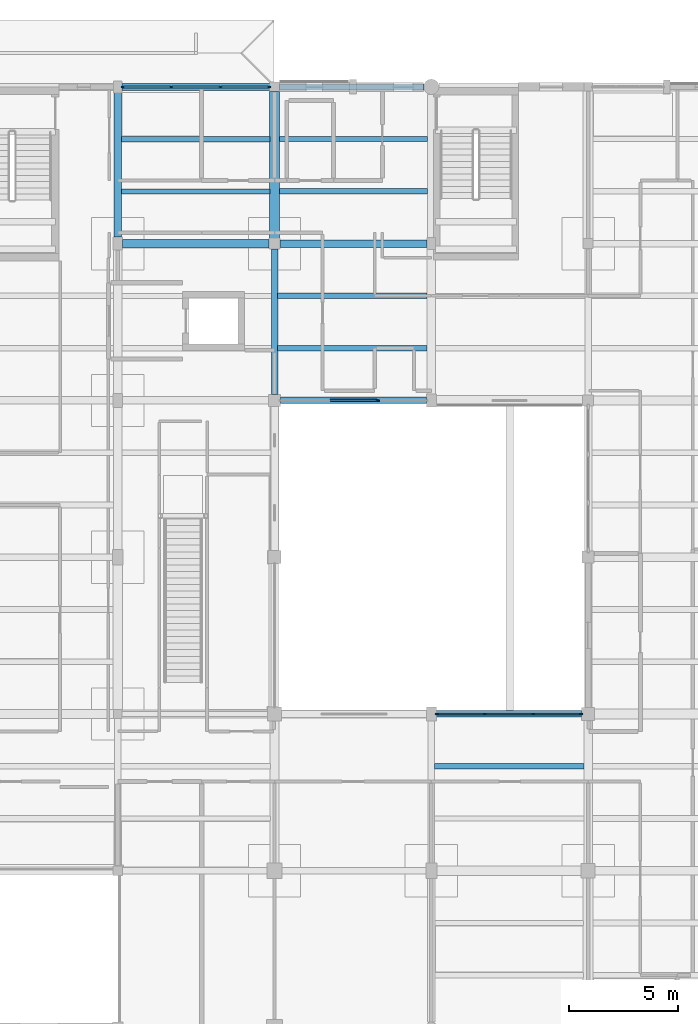
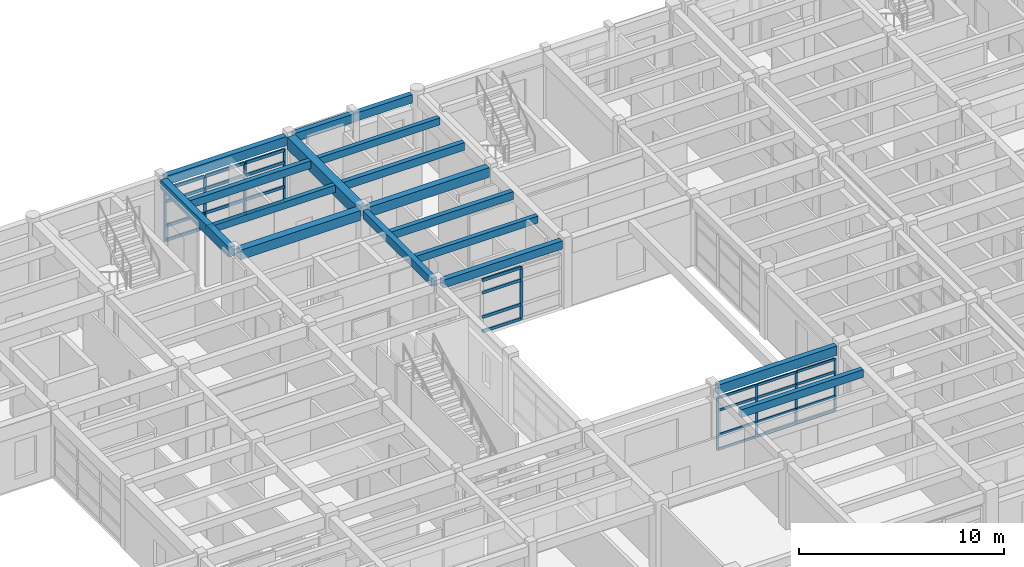
# One storey, part 38 of 110: 37 members, 16 beams, 3 elements without a shape of their own.
"""IFC4 building model written with IfcOpenShell, lengths in metres."""

from ifc_helpers import new_model, si_unit, direction, frame, origin, origin_2d, place, context, subcontext, project, spatial, rectangle, extrude, material, material_profile, profile_set, type_object, element, aggregate, save


model = new_model("IFC4")

# Units and contexts
model_context = context("Model", 3, precision=1e-05, world=origin(), true_north=direction((0.0, 1.0)))
body_context = subcontext(model_context, "Body", "Model", "MODEL_VIEW")
ifc_project = project(units=[si_unit("LENGTHUNIT", "METRE"), si_unit("AREAUNIT", "SQUARE_METRE"), si_unit("VOLUMEUNIT", "CUBIC_METRE"), si_unit("PLANEANGLEUNIT", "RADIAN"), si_unit("MASSUNIT", "GRAM", prefix="KILO")], contexts=[model_context])

# Site, building, storey
site_placement = place(None, origin())
site = spatial("IfcSite", under=ifc_project, at=site_placement, CompositionType="ELEMENT")
building_placement = place(site_placement, origin())
building = spatial("IfcBuilding", under=site, at=building_placement, Name="Steenspoor Specialist Clinic", CompositionType="ELEMENT")
storey_placement = place(building_placement, frame((0.0, 0.0, 4.800048828125)))
storey = spatial("IfcBuildingStorey", under=building, at=storey_placement, Name="L01", CompositionType="ELEMENT", Elevation=4.800048828125)

# Beams
ifc_material_1 = material(Name="Concrete C35/45", Category="concrete")
ifc_material_profile_1 = material_profile(ifc_material_1, rectangle(XDim=0.300048828125, YDim=0.47998046875, at=origin_2d()), Name="RC-BM-300X480")
ifc_profile_set_1 = profile_set([ifc_material_profile_1], Name="Concrete C35/45")
beam_type_1 = type_object("IfcBeamType", Name="BM-RC-300X480", PredefinedType="BEAM", material=ifc_profile_set_1)
beam_1_placement = place(storey_placement, frame((95.8701171875, 93.949951171875, 3.7099609375), z_axis=(1.0, 0.0, 0.0), x_axis=(0.0, 1.0, 0.0)))
element("IfcBeam", 1, at=beam_1_placement, inside=storey, type_object=beam_type_1, Name="BM-V4-L01-X0503", PredefinedType="BEAM", context=body_context, shape_type="SweptSolid", body=[
    extrude(rectangle(XDim=0.300048828125, YDim=0.47998046875, at=origin_2d()), origin(), (0.0, 0.0, 1.0), 6.7099609375),
])
beam_2_placement = place(storey_placement, frame((95.60009765625, 94.219970703125, 3.7099609375), z_axis=(0.0, 1.0, 0.0), x_axis=(-1.0, 0.0, 0.0)))
element("IfcBeam", 2, at=beam_2_placement, inside=storey, type_object=beam_type_1, Name="BM-V4-L01-Y0555", PredefinedType="BEAM", context=body_context, shape_type="SweptSolid", body=[
    extrude(rectangle(XDim=0.300048828125, YDim=0.47998046875, at=origin_2d()), origin(), (0.0, 0.0, 1.0), 6.68505859375),
])
ifc_material_profile_2 = material_profile(ifc_material_1, rectangle(XDim=0.300048828125, YDim=0.550048828125, at=origin_2d()), Name="RC-BM-300X550")
ifc_profile_set_2 = profile_set([ifc_material_profile_2], Name="Concrete C35/45")
beam_type_2 = type_object("IfcBeamType", Name="BM-RC-300X550", PredefinedType="BEAM", material=ifc_profile_set_2)
beam_3_placement = place(storey_placement, frame((103.02001953125, 79.550048828125, 3.675048828125), z_axis=(1.0, 0.0, 0.0), x_axis=(0.0, 1.0, 0.0)))
element("IfcBeam", 3, at=beam_3_placement, inside=storey, type_object=beam_type_2, Name="BM-V4-L01-X0491", PredefinedType="BEAM", context=body_context, shape_type="SweptSolid", body=[
    extrude(rectangle(XDim=0.300048828125, YDim=0.550048828125, at=origin_2d()), origin(), (0.0, 0.0, 1.0), 6.68505859375),
])
ifc_material_profile_3 = material_profile(ifc_material_1, rectangle(XDim=0.35009765625, YDim=0.580078125, at=origin_2d()), Name="RC-BM-350X580")
ifc_profile_set_3 = profile_set([ifc_material_profile_3], Name="Concrete C35/45")
beam_type_3 = type_object("IfcBeamType", Name="BM-RC-350X580", PredefinedType="BEAM", material=ifc_profile_set_3)
beam_4_placement = place(storey_placement, frame((95.844970703125, 101.14990234375, 3.659912109375), z_axis=(1.0, 0.0, 0.0), x_axis=(0.0, 1.0, 0.0)))
element("IfcBeam", 4, at=beam_4_placement, inside=storey, type_object=beam_type_3, Name="BM-V4-L01-X0510", PredefinedType="BEAM", context=body_context, shape_type="SweptSolid", body=[
    extrude(rectangle(XDim=0.35009765625, YDim=0.580078125, at=origin_2d()), origin(), (0.0, 0.0, 1.0), 6.760009765625),
])
beam_5_placement = place(storey_placement, frame((88.39990234375, 101.445068359375, 3.659912109375), z_axis=(0.0, 1.0, 0.0), x_axis=(-1.0, 0.0, 0.0)))
element("IfcBeam", 5, at=beam_5_placement, inside=storey, type_object=beam_type_3, Name="BM-V4-L01-Y0551", PredefinedType="BEAM", context=body_context, shape_type="SweptSolid", body=[
    extrude(rectangle(XDim=0.35009765625, YDim=0.580078125, at=origin_2d()), origin(), (0.0, 0.0, 1.0), 6.635009765625),
])
ifc_material_profile_4 = material_profile(ifc_material_1, rectangle(XDim=0.39990234375, YDim=0.580078125, at=origin_2d()), Name="RC-BM-400X580")
ifc_profile_set_4 = profile_set([ifc_material_profile_4], Name="Concrete C35/45")
beam_type_4 = type_object("IfcBeamType", Name="BM-RC-400X580", PredefinedType="BEAM", material=ifc_profile_set_4)
beam_6_placement = place(storey_placement, frame((88.6201171875, 101.14990234375, 3.659912109375), z_axis=(1.0, 0.0, 0.0), x_axis=(0.0, 1.0, 0.0)))
element("IfcBeam", 6, at=beam_6_placement, inside=storey, type_object=beam_type_4, Name="BM-V4-L01-X0509", PredefinedType="BEAM", context=body_context, shape_type="SweptSolid", body=[
    extrude(rectangle(XDim=0.39990234375, YDim=0.580078125, at=origin_2d()), origin(), (0.0, 0.0, 1.0), 6.73486328125),
])
ifc_material_profile_5 = material_profile(ifc_material_1, rectangle(XDim=0.449951171875, YDim=0.719970703125, at=origin_2d()), Name="RC-BM-450X720")
ifc_profile_set_5 = profile_set([ifc_material_profile_5], Name="Concrete C35/45")
beam_type_5 = type_object("IfcBeamType", Name="BM-RC-450X720", PredefinedType="BEAM", material=ifc_profile_set_5)
beam_7_placement = place(storey_placement, frame((95.60009765625, 101.39501953125, 3.58984375), z_axis=(0.0, 1.0, 0.0), x_axis=(-1.0, 0.0, 0.0)))
element("IfcBeam", 7, at=beam_7_placement, inside=storey, type_object=beam_type_5, Name="BM-V4-L01-Y0556", PredefinedType="BEAM", context=body_context, shape_type="SweptSolid", body=[
    extrude(rectangle(XDim=0.449951171875, YDim=0.719970703125, at=origin_2d()), origin(), (0.0, 0.0, 1.0), 6.73486328125),
])

# Curtain wall, members
ifc_material_2 = material(Name="Thermally broken aluminium and low-emissivity glass", Category="aluminium")
curtain_wall_type_1 = type_object("IfcCurtainWallType", Name="CW-WLK-520X340", PredefinedType="USERDEFINED", material=ifc_material_2)
curtain_wall_1_placement = place(storey_placement, origin())
curtain_wall_1 = element("IfcCurtainWall", 8, at=curtain_wall_1_placement, inside=storey, type_object=curtain_wall_type_1, Name="Unitised Curtain Wall CW-V4-L01-069", ObjectType="UNITISED GLAZING", PredefinedType="USERDEFINED")
ifc_material_3 = material(Name="Thermally broken aluminium 6063-T6", Category="aluminium")
ifc_material_profile_6 = material_profile(ifc_material_3, rectangle(XDim=0.06494140625, YDim=0.14990234375, at=origin_2d()), Name="CWM-65X150")
ifc_profile_set_6 = profile_set([ifc_material_profile_6], Name="Thermally broken aluminium 6063-T6")
member_type_1 = type_object("IfcMemberType", Name="CW-MULL-65X150", PredefinedType="MULLION", material=ifc_profile_set_6)
member_1_placement = place(storey_placement, frame((88.632568359375, 108.35009765625, 0.0), z_axis=(0.0, 0.0, 1.0), x_axis=(0.0, 1.0, 0.0)))
member_1 = element("IfcMember", 9, at=member_1_placement, type_object=member_type_1, Name="CW-21 mullion 1", PredefinedType="MULLION", context=body_context, shape_type="SweptSolid", body=[
    extrude(rectangle(XDim=0.06494140625, YDim=0.14990234375, at=origin_2d()), origin(), (0.0, 0.0, 1.0), 3.1298828125),
])
member_2_placement = place(storey_placement, frame((90.8583984375, 108.35009765625, 0.0), z_axis=(0.0, 0.0, 1.0), x_axis=(0.0, 1.0, 0.0)))
member_2 = element("IfcMember", 10, at=member_2_placement, type_object=member_type_1, Name="CW-21 mullion 2", PredefinedType="MULLION", context=body_context, shape_type="SweptSolid", body=[
    extrude(rectangle(XDim=0.06494140625, YDim=0.14990234375, at=origin_2d()), origin(), (0.0, 0.0, 1.0), 3.1298828125),
])
member_3_placement = place(storey_placement, frame((93.11669921875, 108.35009765625, 0.0), z_axis=(0.0, 0.0, 1.0), x_axis=(0.0, 1.0, 0.0)))
member_3 = element("IfcMember", 11, at=member_3_placement, type_object=member_type_1, Name="CW-21 mullion 3", PredefinedType="MULLION", context=body_context, shape_type="SweptSolid", body=[
    extrude(rectangle(XDim=0.06494140625, YDim=0.14990234375, at=origin_2d()), origin(), (0.0, 0.0, 1.0), 3.1298828125),
])
member_4_placement = place(storey_placement, frame((95.342529296875, 108.35009765625, 0.0), z_axis=(0.0, 0.0, 1.0), x_axis=(0.0, 1.0, 0.0)))
member_4 = element("IfcMember", 12, at=member_4_placement, type_object=member_type_1, Name="CW-21 mullion 4", PredefinedType="MULLION", context=body_context, shape_type="SweptSolid", body=[
    extrude(rectangle(XDim=0.06494140625, YDim=0.14990234375, at=origin_2d()), origin(), (0.0, 0.0, 1.0), 3.1298828125),
])

curtain_wall_type_2 = type_object("IfcCurtainWallType", Name="CW-TYP-660X355", PredefinedType="USERDEFINED", material=ifc_material_2)
curtain_wall_2_placement = place(storey_placement, origin())
curtain_wall_2 = element("IfcCurtainWall", 13, at=curtain_wall_2_placement, inside=storey, type_object=curtain_wall_type_2, Name="Unitised Curtain Wall CW-V4-L01-081", ObjectType="UNITISED GLAZING", PredefinedType="USERDEFINED")
member_5_placement = place(storey_placement, frame((103.0576171875, 79.550048828125, 0.0), z_axis=(0.0, 0.0, 1.0), x_axis=(0.0, 1.0, 0.0)))
member_5 = element("IfcMember", 14, at=member_5_placement, type_object=member_type_1, Name="CW-09 mullion 1", PredefinedType="MULLION", context=body_context, shape_type="SweptSolid", body=[
    extrude(rectangle(XDim=0.06494140625, YDim=0.14990234375, at=origin_2d()), origin(), (0.0, 0.0, 1.0), 3.1298828125),
])
member_6_placement = place(storey_placement, frame((105.25, 79.550048828125, 0.0), z_axis=(0.0, 0.0, 1.0), x_axis=(0.0, 1.0, 0.0)))
member_6 = element("IfcMember", 15, at=member_6_placement, type_object=member_type_1, Name="CW-09 mullion 2", PredefinedType="MULLION", context=body_context, shape_type="SweptSolid", body=[
    extrude(rectangle(XDim=0.06494140625, YDim=0.14990234375, at=origin_2d()), origin(), (0.0, 0.0, 1.0), 3.1298828125),
])
member_7_placement = place(storey_placement, frame((107.47509765625, 79.550048828125, 0.0), z_axis=(0.0, 0.0, 1.0), x_axis=(0.0, 1.0, 0.0)))
member_7 = element("IfcMember", 16, at=member_7_placement, type_object=member_type_1, Name="CW-09 mullion 3", PredefinedType="MULLION", context=body_context, shape_type="SweptSolid", body=[
    extrude(rectangle(XDim=0.06494140625, YDim=0.14990234375, at=origin_2d()), origin(), (0.0, 0.0, 1.0), 3.1298828125),
])
member_8_placement = place(storey_placement, frame((109.66748046875, 79.550048828125, 0.0), z_axis=(0.0, 0.0, 1.0), x_axis=(0.0, 1.0, 0.0)))
member_8 = element("IfcMember", 17, at=member_8_placement, type_object=member_type_1, Name="CW-09 mullion 4", PredefinedType="MULLION", context=body_context, shape_type="SweptSolid", body=[
    extrude(rectangle(XDim=0.06494140625, YDim=0.14990234375, at=origin_2d()), origin(), (0.0, 0.0, 1.0), 3.1298828125),
])

# Curtain wall, member
curtain_wall_type_3 = type_object("IfcCurtainWallType", Name="CW-L00-360X415", PredefinedType="USERDEFINED", material=ifc_material_2)
curtain_wall_3_placement = place(storey_placement, origin())
curtain_wall_3 = element("IfcCurtainWall", 18, at=curtain_wall_3_placement, inside=storey, type_object=curtain_wall_type_3, Name="Unitised Curtain Wall CW-V4-L01-079", ObjectType="UNITISED GLAZING", PredefinedType="USERDEFINED")
ifc_material_profile_7 = material_profile(ifc_material_3, rectangle(XDim=0.080078125, YDim=0.179931640625, at=origin_2d()), Name="CWM-80X180")
ifc_profile_set_7 = profile_set([ifc_material_profile_7], Name="Thermally broken aluminium 6063-T6")
member_type_2 = type_object("IfcMemberType", Name="CW-MULL-80X180", PredefinedType="MULLION", material=ifc_profile_set_7)
member_9_placement = place(storey_placement, frame((100.341552734375, 93.949951171875, 0.0), z_axis=(0.0, 0.0, 1.0), x_axis=(0.0, -1.0, 0.0)))
member_9 = element("IfcMember", 19, at=member_9_placement, type_object=member_type_2, Name="CW-07 mullion 2", PredefinedType="MULLION", context=body_context, shape_type="SweptSolid", body=[
    extrude(rectangle(XDim=0.080078125, YDim=0.179931640625, at=origin_2d()), origin(), (0.0, 0.0, 1.0), 3.1298828125),
])

# Member
ifc_material_profile_8 = material_profile(ifc_material_3, rectangle(XDim=0.070068359375, YDim=0.14501953125, at=origin_2d()), Name="CWT-70X145")
ifc_profile_set_8 = profile_set([ifc_material_profile_8], Name="Thermally broken aluminium 6063-T6")
member_type_3 = type_object("IfcMemberType", Name="CW-TRAN-70X145", PredefinedType="USERDEFINED", material=ifc_profile_set_8)
member_10_placement = place(storey_placement, frame((103.090087890625, 79.550048828125, 0.034912109375), z_axis=(1.0, 0.0, 0.0), x_axis=(0.0, 1.0, 0.0)))
member_10 = element("IfcMember", 20, at=member_10_placement, type_object=member_type_3, Name="CW-09 transom 1.1", ObjectType="TRANSOM", PredefinedType="USERDEFINED", context=body_context, shape_type="SweptSolid", body=[
    extrude(rectangle(XDim=0.070068359375, YDim=0.14501953125, at=origin_2d()), origin(), (0.0, 0.0, 1.0), 2.12744140625),
])

member_11_placement = place(storey_placement, frame((103.090087890625, 79.550048828125, 0.89990234375), z_axis=(1.0, 0.0, 0.0), x_axis=(0.0, 1.0, 0.0)))
member_11 = element("IfcMember", 21, at=member_11_placement, type_object=member_type_3, Name="CW-09 transom 1.2", ObjectType="TRANSOM", PredefinedType="USERDEFINED", context=body_context, shape_type="SweptSolid", body=[
    extrude(rectangle(XDim=0.070068359375, YDim=0.14501953125, at=origin_2d()), origin(), (0.0, 0.0, 1.0), 2.12744140625),
])

member_12_placement = place(storey_placement, frame((103.090087890625, 79.550048828125, 2.349853515625), z_axis=(1.0, 0.0, 0.0), x_axis=(0.0, 1.0, 0.0)))
member_12 = element("IfcMember", 22, at=member_12_placement, type_object=member_type_3, Name="CW-09 transom 1.3", ObjectType="TRANSOM", PredefinedType="USERDEFINED", context=body_context, shape_type="SweptSolid", body=[
    extrude(rectangle(XDim=0.070068359375, YDim=0.14501953125, at=origin_2d()), origin(), (0.0, 0.0, 1.0), 2.12744140625),
])

member_13_placement = place(storey_placement, frame((103.090087890625, 79.550048828125, 3.094970703125), z_axis=(1.0, 0.0, 0.0), x_axis=(0.0, 1.0, 0.0)))
member_13 = element("IfcMember", 23, at=member_13_placement, type_object=member_type_3, Name="CW-09 transom 1.4", ObjectType="TRANSOM", PredefinedType="USERDEFINED", context=body_context, shape_type="SweptSolid", body=[
    extrude(rectangle(XDim=0.070068359375, YDim=0.14501953125, at=origin_2d()), origin(), (0.0, 0.0, 1.0), 2.12744140625),
])

member_14_placement = place(storey_placement, frame((105.282470703125, 79.550048828125, 0.034912109375), z_axis=(1.0, 0.0, 0.0), x_axis=(0.0, 1.0, 0.0)))
member_14 = element("IfcMember", 24, at=member_14_placement, type_object=member_type_3, Name="CW-09 transom 2.1", ObjectType="TRANSOM", PredefinedType="USERDEFINED", context=body_context, shape_type="SweptSolid", body=[
    extrude(rectangle(XDim=0.070068359375, YDim=0.14501953125, at=origin_2d()), origin(), (0.0, 0.0, 1.0), 2.159912109375),
])

member_15_placement = place(storey_placement, frame((105.282470703125, 79.550048828125, 0.89990234375), z_axis=(1.0, 0.0, 0.0), x_axis=(0.0, 1.0, 0.0)))
member_15 = element("IfcMember", 25, at=member_15_placement, type_object=member_type_3, Name="CW-09 transom 2.2", ObjectType="TRANSOM", PredefinedType="USERDEFINED", context=body_context, shape_type="SweptSolid", body=[
    extrude(rectangle(XDim=0.070068359375, YDim=0.14501953125, at=origin_2d()), origin(), (0.0, 0.0, 1.0), 2.159912109375),
])

member_16_placement = place(storey_placement, frame((105.282470703125, 79.550048828125, 2.349853515625), z_axis=(1.0, 0.0, 0.0), x_axis=(0.0, 1.0, 0.0)))
member_16 = element("IfcMember", 26, at=member_16_placement, type_object=member_type_3, Name="CW-09 transom 2.3", ObjectType="TRANSOM", PredefinedType="USERDEFINED", context=body_context, shape_type="SweptSolid", body=[
    extrude(rectangle(XDim=0.070068359375, YDim=0.14501953125, at=origin_2d()), origin(), (0.0, 0.0, 1.0), 2.159912109375),
])

member_17_placement = place(storey_placement, frame((105.282470703125, 79.550048828125, 3.094970703125), z_axis=(1.0, 0.0, 0.0), x_axis=(0.0, 1.0, 0.0)))
member_17 = element("IfcMember", 27, at=member_17_placement, type_object=member_type_3, Name="CW-09 transom 2.4", ObjectType="TRANSOM", PredefinedType="USERDEFINED", context=body_context, shape_type="SweptSolid", body=[
    extrude(rectangle(XDim=0.070068359375, YDim=0.14501953125, at=origin_2d()), origin(), (0.0, 0.0, 1.0), 2.159912109375),
])

member_18_placement = place(storey_placement, frame((107.507568359375, 79.550048828125, 0.034912109375), z_axis=(1.0, 0.0, 0.0), x_axis=(0.0, 1.0, 0.0)))
member_18 = element("IfcMember", 28, at=member_18_placement, type_object=member_type_3, Name="CW-09 transom 3.1", ObjectType="TRANSOM", PredefinedType="USERDEFINED", context=body_context, shape_type="SweptSolid", body=[
    extrude(rectangle(XDim=0.070068359375, YDim=0.14501953125, at=origin_2d()), origin(), (0.0, 0.0, 1.0), 2.12744140625),
])

member_19_placement = place(storey_placement, frame((107.507568359375, 79.550048828125, 0.89990234375), z_axis=(1.0, 0.0, 0.0), x_axis=(0.0, 1.0, 0.0)))
member_19 = element("IfcMember", 29, at=member_19_placement, type_object=member_type_3, Name="CW-09 transom 3.2", ObjectType="TRANSOM", PredefinedType="USERDEFINED", context=body_context, shape_type="SweptSolid", body=[
    extrude(rectangle(XDim=0.070068359375, YDim=0.14501953125, at=origin_2d()), origin(), (0.0, 0.0, 1.0), 2.12744140625),
])

member_20_placement = place(storey_placement, frame((107.507568359375, 79.550048828125, 2.349853515625), z_axis=(1.0, 0.0, 0.0), x_axis=(0.0, 1.0, 0.0)))
member_20 = element("IfcMember", 30, at=member_20_placement, type_object=member_type_3, Name="CW-09 transom 3.3", ObjectType="TRANSOM", PredefinedType="USERDEFINED", context=body_context, shape_type="SweptSolid", body=[
    extrude(rectangle(XDim=0.070068359375, YDim=0.14501953125, at=origin_2d()), origin(), (0.0, 0.0, 1.0), 2.12744140625),
])

member_21_placement = place(storey_placement, frame((107.507568359375, 79.550048828125, 3.094970703125), z_axis=(1.0, 0.0, 0.0), x_axis=(0.0, 1.0, 0.0)))
member_21 = element("IfcMember", 31, at=member_21_placement, type_object=member_type_3, Name="CW-09 transom 3.4", ObjectType="TRANSOM", PredefinedType="USERDEFINED", context=body_context, shape_type="SweptSolid", body=[
    extrude(rectangle(XDim=0.070068359375, YDim=0.14501953125, at=origin_2d()), origin(), (0.0, 0.0, 1.0), 2.12744140625),
])

aggregate(curtain_wall_2, [member_5, member_6, member_7, member_8, member_10, member_11, member_12, member_13, member_14, member_15, member_16, member_17, member_18, member_19, member_20, member_21])

ifc_material_profile_9 = material_profile(ifc_material_3, rectangle(XDim=0.090087890625, YDim=0.175048828125, at=origin_2d()), Name="CWT-90X175")
ifc_profile_set_9 = profile_set([ifc_material_profile_9], Name="Thermally broken aluminium 6063-T6")
member_type_4 = type_object("IfcMemberType", Name="CW-TRAN-90X175", PredefinedType="USERDEFINED", material=ifc_profile_set_9)
member_22_placement = place(storey_placement, frame((88.6650390625, 108.35009765625, 0.044921875), z_axis=(1.0, 0.0, 0.0), x_axis=(0.0, 1.0, 0.0)))
member_22 = element("IfcMember", 32, at=member_22_placement, type_object=member_type_4, Name="CW-21 transom 1.1", ObjectType="TRANSOM", PredefinedType="USERDEFINED", context=body_context, shape_type="SweptSolid", body=[
    extrude(rectangle(XDim=0.090087890625, YDim=0.175048828125, at=origin_2d()), origin(), (0.0, 0.0, 1.0), 2.160888671875),
])

member_23_placement = place(storey_placement, frame((88.6650390625, 108.35009765625, 0.89990234375), z_axis=(1.0, 0.0, 0.0), x_axis=(0.0, 1.0, 0.0)))
member_23 = element("IfcMember", 33, at=member_23_placement, type_object=member_type_4, Name="CW-21 transom 1.2", ObjectType="TRANSOM", PredefinedType="USERDEFINED", context=body_context, shape_type="SweptSolid", body=[
    extrude(rectangle(XDim=0.090087890625, YDim=0.175048828125, at=origin_2d()), origin(), (0.0, 0.0, 1.0), 2.160888671875),
])

member_24_placement = place(storey_placement, frame((88.6650390625, 108.35009765625, 2.349853515625), z_axis=(1.0, 0.0, 0.0), x_axis=(0.0, 1.0, 0.0)))
member_24 = element("IfcMember", 34, at=member_24_placement, type_object=member_type_4, Name="CW-21 transom 1.3", ObjectType="TRANSOM", PredefinedType="USERDEFINED", context=body_context, shape_type="SweptSolid", body=[
    extrude(rectangle(XDim=0.090087890625, YDim=0.175048828125, at=origin_2d()), origin(), (0.0, 0.0, 1.0), 2.160888671875),
])

member_25_placement = place(storey_placement, frame((88.6650390625, 108.35009765625, 3.0849609375), z_axis=(1.0, 0.0, 0.0), x_axis=(0.0, 1.0, 0.0)))
member_25 = element("IfcMember", 35, at=member_25_placement, type_object=member_type_4, Name="CW-21 transom 1.4", ObjectType="TRANSOM", PredefinedType="USERDEFINED", context=body_context, shape_type="SweptSolid", body=[
    extrude(rectangle(XDim=0.090087890625, YDim=0.175048828125, at=origin_2d()), origin(), (0.0, 0.0, 1.0), 2.160888671875),
])

member_26_placement = place(storey_placement, frame((90.890869140625, 108.35009765625, 0.044921875), z_axis=(1.0, 0.0, 0.0), x_axis=(0.0, 1.0, 0.0)))
member_26 = element("IfcMember", 36, at=member_26_placement, type_object=member_type_4, Name="CW-21 transom 2.1", ObjectType="TRANSOM", PredefinedType="USERDEFINED", context=body_context, shape_type="SweptSolid", body=[
    extrude(rectangle(XDim=0.090087890625, YDim=0.175048828125, at=origin_2d()), origin(), (0.0, 0.0, 1.0), 2.193359375),
])

member_27_placement = place(storey_placement, frame((90.890869140625, 108.35009765625, 0.89990234375), z_axis=(1.0, 0.0, 0.0), x_axis=(0.0, 1.0, 0.0)))
member_27 = element("IfcMember", 37, at=member_27_placement, type_object=member_type_4, Name="CW-21 transom 2.2", ObjectType="TRANSOM", PredefinedType="USERDEFINED", context=body_context, shape_type="SweptSolid", body=[
    extrude(rectangle(XDim=0.090087890625, YDim=0.175048828125, at=origin_2d()), origin(), (0.0, 0.0, 1.0), 2.193359375),
])

member_28_placement = place(storey_placement, frame((90.890869140625, 108.35009765625, 2.349853515625), z_axis=(1.0, 0.0, 0.0), x_axis=(0.0, 1.0, 0.0)))
member_28 = element("IfcMember", 38, at=member_28_placement, type_object=member_type_4, Name="CW-21 transom 2.3", ObjectType="TRANSOM", PredefinedType="USERDEFINED", context=body_context, shape_type="SweptSolid", body=[
    extrude(rectangle(XDim=0.090087890625, YDim=0.175048828125, at=origin_2d()), origin(), (0.0, 0.0, 1.0), 2.193359375),
])

member_29_placement = place(storey_placement, frame((90.890869140625, 108.35009765625, 3.0849609375), z_axis=(1.0, 0.0, 0.0), x_axis=(0.0, 1.0, 0.0)))
member_29 = element("IfcMember", 39, at=member_29_placement, type_object=member_type_4, Name="CW-21 transom 2.4", ObjectType="TRANSOM", PredefinedType="USERDEFINED", context=body_context, shape_type="SweptSolid", body=[
    extrude(rectangle(XDim=0.090087890625, YDim=0.175048828125, at=origin_2d()), origin(), (0.0, 0.0, 1.0), 2.193359375),
])

member_30_placement = place(storey_placement, frame((93.149169921875, 108.35009765625, 0.044921875), z_axis=(1.0, 0.0, 0.0), x_axis=(0.0, 1.0, 0.0)))
member_30 = element("IfcMember", 40, at=member_30_placement, type_object=member_type_4, Name="CW-21 transom 3.1", ObjectType="TRANSOM", PredefinedType="USERDEFINED", context=body_context, shape_type="SweptSolid", body=[
    extrude(rectangle(XDim=0.090087890625, YDim=0.175048828125, at=origin_2d()), origin(), (0.0, 0.0, 1.0), 2.160888671875),
])

member_31_placement = place(storey_placement, frame((93.149169921875, 108.35009765625, 0.89990234375), z_axis=(1.0, 0.0, 0.0), x_axis=(0.0, 1.0, 0.0)))
member_31 = element("IfcMember", 41, at=member_31_placement, type_object=member_type_4, Name="CW-21 transom 3.2", ObjectType="TRANSOM", PredefinedType="USERDEFINED", context=body_context, shape_type="SweptSolid", body=[
    extrude(rectangle(XDim=0.090087890625, YDim=0.175048828125, at=origin_2d()), origin(), (0.0, 0.0, 1.0), 2.160888671875),
])

member_32_placement = place(storey_placement, frame((93.149169921875, 108.35009765625, 2.349853515625), z_axis=(1.0, 0.0, 0.0), x_axis=(0.0, 1.0, 0.0)))
member_32 = element("IfcMember", 42, at=member_32_placement, type_object=member_type_4, Name="CW-21 transom 3.3", ObjectType="TRANSOM", PredefinedType="USERDEFINED", context=body_context, shape_type="SweptSolid", body=[
    extrude(rectangle(XDim=0.090087890625, YDim=0.175048828125, at=origin_2d()), origin(), (0.0, 0.0, 1.0), 2.160888671875),
])

member_33_placement = place(storey_placement, frame((93.149169921875, 108.35009765625, 3.0849609375), z_axis=(1.0, 0.0, 0.0), x_axis=(0.0, 1.0, 0.0)))
member_33 = element("IfcMember", 43, at=member_33_placement, type_object=member_type_4, Name="CW-21 transom 3.4", ObjectType="TRANSOM", PredefinedType="USERDEFINED", context=body_context, shape_type="SweptSolid", body=[
    extrude(rectangle(XDim=0.090087890625, YDim=0.175048828125, at=origin_2d()), origin(), (0.0, 0.0, 1.0), 2.160888671875),
])

aggregate(curtain_wall_1, [member_1, member_2, member_3, member_4, member_22, member_23, member_24, member_25, member_26, member_27, member_28, member_29, member_30, member_31, member_32, member_33])

member_34_placement = place(storey_placement, frame((100.3017578125, 93.949951171875, 0.044921875), z_axis=(-1.0, 0.0, 0.0), x_axis=(0.0, -1.0, 0.0)))
member_34 = element("IfcMember", 44, at=member_34_placement, type_object=member_type_4, Name="CW-07 transom 2.1", ObjectType="TRANSOM", PredefinedType="USERDEFINED", context=body_context, shape_type="SweptSolid", body=[
    extrude(rectangle(XDim=0.090087890625, YDim=0.175048828125, at=origin_2d()), origin(), (0.0, 0.0, 1.0), 2.1533203125),
])

member_35_placement = place(storey_placement, frame((100.3017578125, 93.949951171875, 0.89990234375), z_axis=(-1.0, 0.0, 0.0), x_axis=(0.0, -1.0, 0.0)))
member_35 = element("IfcMember", 45, at=member_35_placement, type_object=member_type_4, Name="CW-07 transom 2.2", ObjectType="TRANSOM", PredefinedType="USERDEFINED", context=body_context, shape_type="SweptSolid", body=[
    extrude(rectangle(XDim=0.090087890625, YDim=0.175048828125, at=origin_2d()), origin(), (0.0, 0.0, 1.0), 2.1533203125),
])

member_36_placement = place(storey_placement, frame((100.3017578125, 93.949951171875, 2.349853515625), z_axis=(-1.0, 0.0, 0.0), x_axis=(0.0, -1.0, 0.0)))
member_36 = element("IfcMember", 46, at=member_36_placement, type_object=member_type_4, Name="CW-07 transom 2.3", ObjectType="TRANSOM", PredefinedType="USERDEFINED", context=body_context, shape_type="SweptSolid", body=[
    extrude(rectangle(XDim=0.090087890625, YDim=0.175048828125, at=origin_2d()), origin(), (0.0, 0.0, 1.0), 2.1533203125),
])

member_37_placement = place(storey_placement, frame((100.3017578125, 93.949951171875, 3.0849609375), z_axis=(-1.0, 0.0, 0.0), x_axis=(0.0, -1.0, 0.0)))
member_37 = element("IfcMember", 47, at=member_37_placement, type_object=member_type_4, Name="CW-07 transom 2.4", ObjectType="TRANSOM", PredefinedType="USERDEFINED", context=body_context, shape_type="SweptSolid", body=[
    extrude(rectangle(XDim=0.090087890625, YDim=0.175048828125, at=origin_2d()), origin(), (0.0, 0.0, 1.0), 2.1533203125),
])

aggregate(curtain_wall_3, [member_9, member_34, member_35, member_36, member_37])

# Beams
ifc_material_profile_10 = material_profile(ifc_material_1, rectangle(XDim=0.239990234375, YDim=0.419921875, at=origin_2d()), Name="RC-JT-240X420")
ifc_profile_set_10 = profile_set([ifc_material_profile_10], Name="Concrete C35/45")
beam_type_6 = type_object("IfcBeamType", Name="JT-RC-240X420", PredefinedType="JOIST", material=ifc_profile_set_10)
beam_8_placement = place(storey_placement, frame((88.570068359375, 103.550048828125, 3.739990234375), z_axis=(1.0, 0.0, 0.0), x_axis=(0.0, 1.0, 0.0)))
element("IfcBeam", 48, at=beam_8_placement, inside=storey, type_object=beam_type_6, Name="JT-V4-L01-0617", PredefinedType="JOIST", context=body_context, shape_type="SweptSolid", body=[
    extrude(rectangle(XDim=0.239990234375, YDim=0.419921875, at=origin_2d()), origin(), (0.0, 0.0, 1.0), 6.809814453125),
])
beam_9_placement = place(storey_placement, frame((95.7451171875, 96.35009765625, 3.739990234375), z_axis=(1.0, 0.0, 0.0), x_axis=(0.0, 1.0, 0.0)))
element("IfcBeam", 49, at=beam_9_placement, inside=storey, type_object=beam_type_6, Name="JT-V4-L01-0619", PredefinedType="JOIST", context=body_context, shape_type="SweptSolid", body=[
    extrude(rectangle(XDim=0.239990234375, YDim=0.419921875, at=origin_2d()), origin(), (0.0, 0.0, 1.0), 6.85986328125),
])
beam_10_placement = place(storey_placement, frame((95.820068359375, 105.949951171875, 3.739990234375), z_axis=(1.0, 0.0, 0.0), x_axis=(0.0, 1.0, 0.0)))
element("IfcBeam", 50, at=beam_10_placement, inside=storey, type_object=beam_type_6, Name="JT-V4-L01-0622", PredefinedType="JOIST", context=body_context, shape_type="SweptSolid", body=[
    extrude(rectangle(XDim=0.239990234375, YDim=0.419921875, at=origin_2d()), origin(), (0.0, 0.0, 1.0), 6.809814453125),
])
ifc_material_profile_11 = material_profile(ifc_material_1, rectangle(XDim=0.260009765625, YDim=0.4599609375, at=origin_2d()), Name="RC-JT-260X460")
ifc_profile_set_11 = profile_set([ifc_material_profile_11], Name="Concrete C35/45")
beam_type_7 = type_object("IfcBeamType", Name="JT-RC-260X460", PredefinedType="JOIST", material=ifc_profile_set_11)
beam_11_placement = place(storey_placement, frame((88.570068359375, 105.949951171875, 3.719970703125), z_axis=(1.0, 0.0, 0.0), x_axis=(0.0, 1.0, 0.0)))
element("IfcBeam", 51, at=beam_11_placement, inside=storey, type_object=beam_type_7, Name="JT-V4-L01-0618", PredefinedType="JOIST", context=body_context, shape_type="SweptSolid", body=[
    extrude(rectangle(XDim=0.260009765625, YDim=0.4599609375, at=origin_2d()), origin(), (0.0, 0.0, 1.0), 6.809814453125),
])
beam_12_placement = place(storey_placement, frame((95.7451171875, 98.75, 3.719970703125), z_axis=(1.0, 0.0, 0.0), x_axis=(0.0, 1.0, 0.0)))
element("IfcBeam", 52, at=beam_12_placement, inside=storey, type_object=beam_type_7, Name="JT-V4-L01-0620", PredefinedType="JOIST", context=body_context, shape_type="SweptSolid", body=[
    extrude(rectangle(XDim=0.260009765625, YDim=0.4599609375, at=origin_2d()), origin(), (0.0, 0.0, 1.0), 6.85986328125),
])
beam_13_placement = place(storey_placement, frame((95.820068359375, 103.550048828125, 3.719970703125), z_axis=(1.0, 0.0, 0.0), x_axis=(0.0, 1.0, 0.0)))
element("IfcBeam", 53, at=beam_13_placement, inside=storey, type_object=beam_type_7, Name="JT-V4-L01-0621", PredefinedType="JOIST", context=body_context, shape_type="SweptSolid", body=[
    extrude(rectangle(XDim=0.260009765625, YDim=0.4599609375, at=origin_2d()), origin(), (0.0, 0.0, 1.0), 6.809814453125),
])
beam_14_placement = place(storey_placement, frame((102.945068359375, 77.14990234375, 3.719970703125), z_axis=(1.0, 0.0, 0.0), x_axis=(0.0, 1.0, 0.0)))
element("IfcBeam", 54, at=beam_14_placement, inside=storey, type_object=beam_type_7, Name="JT-V4-L01-0626", PredefinedType="JOIST", context=body_context, shape_type="SweptSolid", body=[
    extrude(rectangle(XDim=0.260009765625, YDim=0.4599609375, at=origin_2d()), origin(), (0.0, 0.0, 1.0), 6.85986328125),
])
ifc_material_profile_12 = material_profile(ifc_material_1, rectangle(XDim=0.280029296875, YDim=0.5, at=origin_2d()), Name="RC-SP-280X500")
ifc_profile_set_12 = profile_set([ifc_material_profile_12], Name="Concrete C35/45")
beam_type_8 = type_object("IfcBeamType", Name="SP-RC-280X500", PredefinedType="SPANDREL", material=ifc_profile_set_12)
beam_15_placement = place(storey_placement, frame((95.820068359375, 108.35009765625, 3.699951171875), z_axis=(1.0, 0.0, 0.0), x_axis=(0.0, 1.0, 0.0)))
element("IfcBeam", 55, at=beam_15_placement, inside=storey, type_object=beam_type_8, Name="BM-V4-L01-X0518", PredefinedType="SPANDREL", context=body_context, shape_type="SweptSolid", body=[
    extrude(rectangle(XDim=0.280029296875, YDim=0.5, at=origin_2d()), origin(), (0.0, 0.0, 1.0), 6.635009765625),
])
ifc_material_profile_13 = material_profile(ifc_material_1, rectangle(XDim=0.320068359375, YDim=0.5400390625, at=origin_2d()), Name="RC-SP-320X540")
ifc_profile_set_13 = profile_set([ifc_material_profile_13], Name="Concrete C35/45")
beam_type_9 = type_object("IfcBeamType", Name="SP-RC-320X540", PredefinedType="SPANDREL", material=ifc_profile_set_13)
beam_16_placement = place(storey_placement, frame((88.594970703125, 108.35009765625, 3.679931640625), z_axis=(1.0, 0.0, 0.0), x_axis=(0.0, 1.0, 0.0)))
element("IfcBeam", 56, at=beam_16_placement, inside=storey, type_object=beam_type_9, Name="BM-V4-L01-X0517", PredefinedType="SPANDREL", context=body_context, shape_type="SweptSolid", body=[
    extrude(rectangle(XDim=0.320068359375, YDim=0.5400390625, at=origin_2d()), origin(), (0.0, 0.0, 1.0), 6.784912109375),
])

save(model, "model.ifc")
